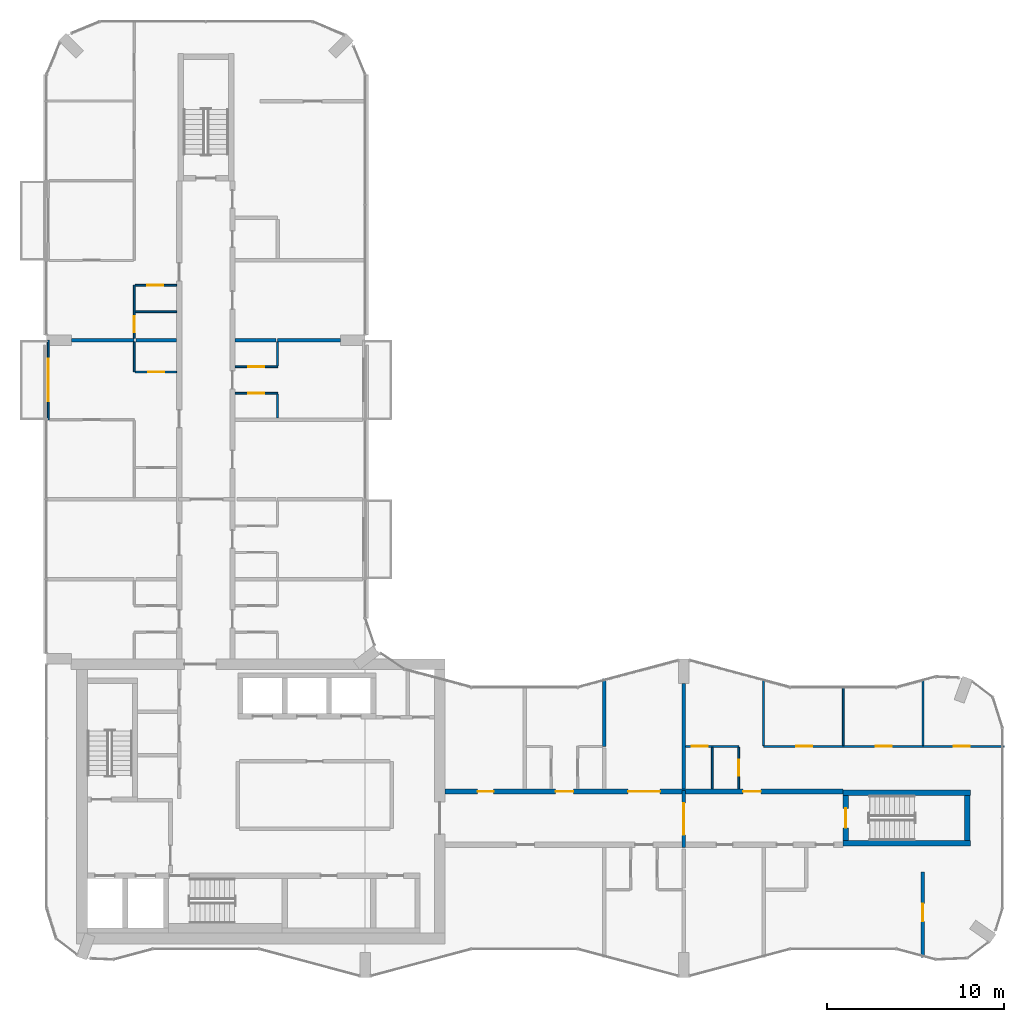
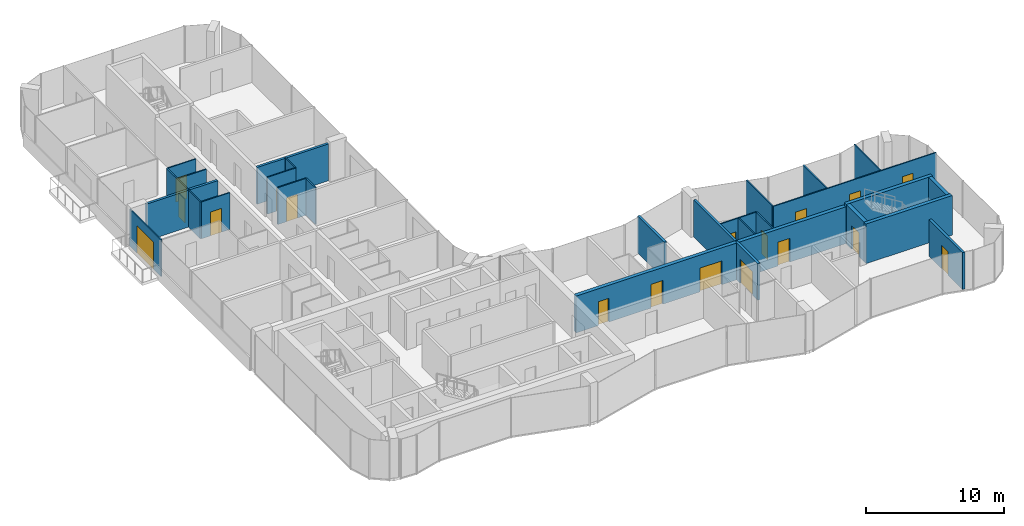
# One storey, part 12 of 15: 30 walls, 18 doors, 18 openings.
"""IFC4 building model written with IfcOpenShell, lengths in metres."""

from ifc_helpers import new_model, si_unit, direction, frame, frame_2d, origin, place, context, subcontext, project, spatial, rectangle, extrude, material, layer, layer_set, type_object, element, fill, save


model = new_model("IFC4")

# Units and contexts
model_context = context("Model", 3, precision=1e-05, world=origin(), true_north=direction((0.0, 1.0)))
body_context = subcontext(model_context, "Body", "Model", "MODEL_VIEW")
ifc_project = project(units=[si_unit("LENGTHUNIT", "METRE"), si_unit("AREAUNIT", "SQUARE_METRE"), si_unit("VOLUMEUNIT", "CUBIC_METRE"), si_unit("PLANEANGLEUNIT", "RADIAN"), si_unit("MASSUNIT", "GRAM", prefix="KILO")], contexts=[model_context])

# Site, building, storey
site_placement = place(None, origin())
site = spatial("IfcSite", under=ifc_project, at=site_placement, CompositionType="ELEMENT")
building_placement = place(site_placement, origin())
building = spatial("IfcBuilding", under=site, at=building_placement, Name="Plateau Cross Towers", CompositionType="ELEMENT")
storey_placement = place(building_placement, frame((0.0, 0.0, 170.89990234375)))
storey = spatial("IfcBuildingStorey", under=building, at=storey_placement, Name="L44", CompositionType="ELEMENT", Elevation=170.89990234375)

# Wall, opening, door
ifc_material_1 = material(Name="Aluminium framed glazing", Category="aluminium")
ifc_layer_1 = layer(ifc_material_1, 0.10009765625)
ifc_layer_set_1 = layer_set([ifc_layer_1], Name="Aluminium framed glazing")
wall_type_1 = type_object("IfcWallType", Name="Balcony screen wall 100", PredefinedType="STANDARD", material=ifc_layer_set_1)
wall_1_placement = place(storey_placement, frame((0.10009765625, 31.5, 0.0), z_axis=(0.0, 0.0, 1.0), x_axis=(0.0, 1.0, 0.0)))
wall_1 = element("IfcWall", 1, at=wall_1_placement, inside=storey, type_object=wall_type_1, Name="Balcony screen wall A-BAL-L44-01", PredefinedType="STANDARD", context=body_context, shape_type="SweptSolid", body=[
    extrude(rectangle(XDim=4.5, YDim=0.10009765625, at=frame_2d((2.25, 0.0))), origin(), (0.0, 0.0, 1.0), 3.25),
])
opening_1_placement = place(wall_1_placement, frame((1.050048828125, 0.0, 0.0)))
opening_1 = element("IfcOpeningElement", 2, at=opening_1_placement, cuts=wall_1, Name="Opening D-B24", PredefinedType="OPENING", context=body_context, shape_type="SweptSolid", body=[
    extrude(rectangle(XDim=2.39990234375, YDim=2.39990234375, at=frame_2d((1.199951171875, 1.199951171875))), frame((0.0, 0.06005859375, 0.0), z_axis=(0.0, -1.0, 0.0), x_axis=(1.0, 0.0, 0.0)), (0.0, 0.0, 1.0), 0.1201171875),
])
ifc_material_2 = material(Name="Aluminium frame, double glazing", Category="aluminium")
door_type_1 = type_object("IfcDoorType", Name="Balcony sliding door 2400", OperationType="NOTDEFINED", PredefinedType="DOOR", material=ifc_material_2)
door_1_placement = place(opening_1_placement, origin())
door_1 = element("IfcDoor", 3, at=door_1_placement, inside=storey, type_object=door_type_1, Name="Balcony door A-BAL-L44-01", OperationType="SINGLE_SWING_LEFT", OverallHeight=2.39990234375, OverallWidth=2.39990234375, PredefinedType="DOOR", context=body_context, shape_type="SweptSolid", body=[
    extrude(rectangle(XDim=2.39990234375, YDim=2.39990234375, at=frame_2d((1.199951171875, 1.199951171875))), frame((0.0, 0.02490234375, 0.0), z_axis=(0.0, -1.0, 0.0), x_axis=(1.0, 0.0, 0.0)), (0.0, 0.0, 1.0), 0.050048828125),
])
fill(opening_1, door_1)

# Wall, openings, doors
ifc_material_3 = material(Name="Concrete C60/75", Category="concrete")
ifc_layer_2 = layer(ifc_material_3, 0.300048828125)
ifc_layer_set_2 = layer_set([ifc_layer_2], Name="Concrete C60/75")
wall_type_2 = type_object("IfcWallType", Name="Corridor wall 300", PredefinedType="SHEAR", material=ifc_layer_set_2)
wall_2_placement = place(storey_placement, frame((22.5, 10.5, 0.0), z_axis=(0.0, 0.0, 1.0), x_axis=(1.0, 0.0, 0.0)))
wall_2 = element("IfcWall", 4, at=wall_2_placement, inside=storey, type_object=wall_type_2, Name="A-cw-S2@L44", PredefinedType="SHEAR", context=body_context, shape_type="SweptSolid", body=[
    extrude(rectangle(XDim=22.5, YDim=0.300048828125, at=frame_2d((11.25, 0.0))), origin(), (0.0, 0.0, 1.0), 3.25),
])
opening_2_placement = place(wall_2_placement, frame((1.85009765625, 0.0, 0.0)))
opening_2 = element("IfcOpeningElement", 5, at=opening_2_placement, cuts=wall_2, Name="Opening 44-06", PredefinedType="OPENING", context=body_context, shape_type="SweptSolid", body=[
    extrude(rectangle(XDim=0.89990234375, YDim=2.10009765625, at=frame_2d((0.449951171875, 1.050048828125))), frame((0.0, 0.159912109375, 0.0), z_axis=(0.0, -1.0, 0.0), x_axis=(1.0, 0.0, 0.0)), (0.0, 0.0, 1.0), 0.320068359375),
])
opening_3_placement = place(wall_2_placement, frame((6.25, 0.0, 0.0)))
opening_3 = element("IfcOpeningElement", 6, at=opening_3_placement, cuts=wall_2, Name="Opening 44-07", PredefinedType="OPENING", context=body_context, shape_type="SweptSolid", body=[
    extrude(rectangle(XDim=1.0, YDim=2.10009765625, at=frame_2d((0.5, 1.050048828125))), frame((0.0, 0.159912109375, 0.0), z_axis=(0.0, -1.0, 0.0), x_axis=(1.0, 0.0, 0.0)), (0.0, 0.0, 1.0), 0.320068359375),
])
opening_4_placement = place(wall_2_placement, frame((10.35009765625, 0.0, 0.0)))
opening_4 = element("IfcOpeningElement", 7, at=opening_4_placement, cuts=wall_2, Name="Opening 44-08", PredefinedType="OPENING", context=body_context, shape_type="SweptSolid", body=[
    extrude(rectangle(XDim=1.800048828125, YDim=2.10009765625, at=frame_2d((0.89990234375, 1.050048828125))), frame((0.0, 0.159912109375, 0.0), z_axis=(0.0, -1.0, 0.0), x_axis=(1.0, 0.0, 0.0)), (0.0, 0.0, 1.0), 0.320068359375),
])
opening_5_placement = place(wall_2_placement, frame((16.85009765625, 0.0, 0.0)))
opening_5 = element("IfcOpeningElement", 8, at=opening_5_placement, cuts=wall_2, Name="Opening 44-09", PredefinedType="OPENING", context=body_context, shape_type="SweptSolid", body=[
    extrude(rectangle(XDim=1.0, YDim=2.10009765625, at=frame_2d((0.5, 1.050048828125))), frame((0.0, 0.159912109375, 0.0), z_axis=(0.0, -1.0, 0.0), x_axis=(1.0, 0.0, 0.0)), (0.0, 0.0, 1.0), 0.320068359375),
])
ifc_material_4 = material(Name="Timber, fire-resisting leaf", Category="wood")
door_type_2 = type_object("IfcDoorType", Name="Flat entrance door 1000", OperationType="NOTDEFINED", PredefinedType="DOOR", material=ifc_material_4)
door_2_placement = place(opening_3_placement, origin())
door_2 = element("IfcDoor", 9, at=door_2_placement, inside=storey, type_object=door_type_2, Name="Door 44-07", OperationType="SINGLE_SWING_LEFT", OverallHeight=2.10009765625, OverallWidth=1.0, PredefinedType="DOOR", context=body_context, shape_type="SweptSolid", body=[
    extrude(rectangle(XDim=1.0, YDim=2.10009765625, at=frame_2d((0.5, 1.050048828125))), frame((0.0, 0.02490234375, 0.0), z_axis=(0.0, -1.0, 0.0), x_axis=(1.0, 0.0, 0.0)), (0.0, 0.0, 1.0), 0.050048828125),
])
fill(opening_3, door_2)
door_3_placement = place(opening_5_placement, origin())
door_3 = element("IfcDoor", 10, at=door_3_placement, inside=storey, type_object=door_type_2, Name="Door 44-09", OperationType="SINGLE_SWING_RIGHT", OverallHeight=2.10009765625, OverallWidth=1.0, PredefinedType="DOOR", context=body_context, shape_type="SweptSolid", body=[
    extrude(rectangle(XDim=1.0, YDim=2.10009765625, at=frame_2d((0.5, 1.050048828125))), frame((0.0, 0.02490234375, 0.0), z_axis=(0.0, -1.0, 0.0), x_axis=(1.0, 0.0, 0.0)), (0.0, 0.0, 1.0), 0.050048828125),
])
fill(opening_5, door_3)
ifc_material_5 = material(Name="Timber, fire-resisting leaves", Category="wood")
door_type_3 = type_object("IfcDoorType", Name="Flat floor fire door pair 1800", OperationType="NOTDEFINED", PredefinedType="DOOR", material=ifc_material_5)
door_4_placement = place(opening_4_placement, origin())
door_4 = element("IfcDoor", 11, at=door_4_placement, inside=storey, type_object=door_type_3, Name="Door 44-08", OperationType="SINGLE_SWING_LEFT", OverallHeight=2.10009765625, OverallWidth=1.800048828125, PredefinedType="DOOR", context=body_context, shape_type="SweptSolid", body=[
    extrude(rectangle(XDim=1.800048828125, YDim=2.10009765625, at=frame_2d((0.89990234375, 1.050048828125))), frame((0.0, 0.02490234375, 0.0), z_axis=(0.0, -1.0, 0.0), x_axis=(1.0, 0.0, 0.0)), (0.0, 0.0, 1.0), 0.050048828125),
])
fill(opening_4, door_4)
door_type_4 = type_object("IfcDoorType", Name="Flat floor service door 900", OperationType="NOTDEFINED", PredefinedType="DOOR", material=ifc_material_4)
door_5_placement = place(opening_2_placement, origin())
door_5 = element("IfcDoor", 12, at=door_5_placement, inside=storey, type_object=door_type_4, Name="Door 44-06", OperationType="SINGLE_SWING_LEFT", OverallHeight=2.10009765625, OverallWidth=0.89990234375, PredefinedType="DOOR", context=body_context, shape_type="SweptSolid", body=[
    extrude(rectangle(XDim=0.89990234375, YDim=2.10009765625, at=frame_2d((0.449951171875, 1.050048828125))), frame((0.0, 0.02490234375, 0.0), z_axis=(0.0, -1.0, 0.0), x_axis=(1.0, 0.0, 0.0)), (0.0, 0.0, 1.0), 0.050048828125),
])
fill(opening_2, door_5)

# Wall, opening, door
ifc_material_6 = material(Name="Gypsum board on steel studs", Category="steel")
ifc_layer_3 = layer(ifc_material_6, 0.10009765625)
ifc_layer_set_3 = layer_set([ifc_layer_3], Name="Gypsum board on steel studs")
wall_type_3 = type_object("IfcWallType", Name="Flat partition 100", PredefinedType="PARTITIONING", material=ifc_layer_set_3)
wall_3_placement = place(storey_placement, frame((39.10009765625, 13.050048828125, 0.0), z_axis=(0.0, 0.0, 1.0), x_axis=(-1.0, 0.0, 0.0)))
wall_3 = element("IfcWall", 13, at=wall_3_placement, inside=storey, type_object=wall_type_3, Name="Partition wall", PredefinedType="PARTITIONING", context=body_context, shape_type="SweptSolid", body=[
    extrude(rectangle(XDim=3.0, YDim=0.10009765625, at=frame_2d((1.5, 0.0))), origin(), (0.0, 0.0, 1.0), 3.25),
])
opening_6_placement = place(wall_3_placement, frame((1.75, 0.0, 0.0)))
opening_6 = element("IfcOpeningElement", 14, at=opening_6_placement, cuts=wall_3, Name="Opening 44-29", PredefinedType="OPENING", context=body_context, shape_type="SweptSolid", body=[
    extrude(rectangle(XDim=0.89990234375, YDim=2.10009765625, at=frame_2d((0.449951171875, 1.050048828125))), frame((0.0, 0.06005859375, 0.0), z_axis=(0.0, -1.0, 0.0), x_axis=(1.0, 0.0, 0.0)), (0.0, 0.0, 1.0), 0.1201171875),
])
ifc_material_7 = material(Name="Timber leaf", Category="wood")
door_type_5 = type_object("IfcDoorType", Name="Flat room door 900", OperationType="NOTDEFINED", PredefinedType="DOOR", material=ifc_material_7)
door_6_placement = place(opening_6_placement, origin())
door_6 = element("IfcDoor", 15, at=door_6_placement, inside=storey, type_object=door_type_5, Name="Door 44-29", OperationType="SINGLE_SWING_RIGHT", OverallHeight=2.10009765625, OverallWidth=0.89990234375, PredefinedType="DOOR", context=body_context, shape_type="SweptSolid", body=[
    extrude(rectangle(XDim=0.89990234375, YDim=2.10009765625, at=frame_2d((0.449951171875, 1.050048828125))), frame((0.0, 0.02490234375, 0.0), z_axis=(0.0, -1.0, 0.0), x_axis=(1.0, 0.0, 0.0)), (0.0, 0.0, 1.0), 0.050048828125),
])
fill(opening_6, door_6)

# Wall, openings, doors
wall_4_placement = place(storey_placement, frame((40.5, 13.050048828125, 0.0), z_axis=(0.0, 0.0, 1.0), x_axis=(1.0, 0.0, 0.0)))
wall_4 = element("IfcWall", 16, at=wall_4_placement, inside=storey, type_object=wall_type_3, Name="Partition wall", PredefinedType="PARTITIONING", context=body_context, shape_type="SweptSolid", body=[
    extrude(rectangle(XDim=13.580078125, YDim=0.10009765625, at=frame_2d((6.7900390625, 0.0))), origin(), (0.0, 0.0, 1.0), 3.25),
])
opening_7_placement = place(wall_4_placement, frame((1.85009765625, 0.0, 0.0)))
opening_7 = element("IfcOpeningElement", 17, at=opening_7_placement, cuts=wall_4, Name="Opening 44-31", PredefinedType="OPENING", context=body_context, shape_type="SweptSolid", body=[
    extrude(rectangle(XDim=0.89990234375, YDim=2.10009765625, at=frame_2d((0.449951171875, 1.050048828125))), frame((0.0, 0.06005859375, 0.0), z_axis=(0.0, -1.0, 0.0), x_axis=(1.0, 0.0, 0.0)), (0.0, 0.0, 1.0), 0.1201171875),
])
opening_8_placement = place(wall_4_placement, frame((6.35009765625, 0.0, 0.0)))
opening_8 = element("IfcOpeningElement", 18, at=opening_8_placement, cuts=wall_4, Name="Opening 44-32", PredefinedType="OPENING", context=body_context, shape_type="SweptSolid", body=[
    extrude(rectangle(XDim=0.89990234375, YDim=2.10009765625, at=frame_2d((0.449951171875, 1.050048828125))), frame((0.0, 0.06005859375, 0.0), z_axis=(0.0, -1.0, 0.0), x_axis=(1.0, 0.0, 0.0)), (0.0, 0.0, 1.0), 0.1201171875),
])
opening_9_placement = place(wall_4_placement, frame((10.75, 0.0, 0.0)))
opening_9 = element("IfcOpeningElement", 19, at=opening_9_placement, cuts=wall_4, Name="Opening 44-33", PredefinedType="OPENING", context=body_context, shape_type="SweptSolid", body=[
    extrude(rectangle(XDim=0.89990234375, YDim=2.10009765625, at=frame_2d((0.449951171875, 1.050048828125))), frame((0.0, 0.06005859375, 0.0), z_axis=(0.0, -1.0, 0.0), x_axis=(1.0, 0.0, 0.0)), (0.0, 0.0, 1.0), 0.1201171875),
])
door_7_placement = place(opening_7_placement, origin())
door_7 = element("IfcDoor", 20, at=door_7_placement, inside=storey, type_object=door_type_5, Name="Door 44-31", OperationType="SINGLE_SWING_LEFT", OverallHeight=2.10009765625, OverallWidth=0.89990234375, PredefinedType="DOOR", context=body_context, shape_type="SweptSolid", body=[
    extrude(rectangle(XDim=0.89990234375, YDim=2.10009765625, at=frame_2d((0.449951171875, 1.050048828125))), frame((0.0, 0.02490234375, 0.0), z_axis=(0.0, -1.0, 0.0), x_axis=(1.0, 0.0, 0.0)), (0.0, 0.0, 1.0), 0.050048828125),
])
fill(opening_7, door_7)
door_8_placement = place(opening_8_placement, origin())
door_8 = element("IfcDoor", 21, at=door_8_placement, inside=storey, type_object=door_type_5, Name="Door 44-32", OperationType="SINGLE_SWING_RIGHT", OverallHeight=2.10009765625, OverallWidth=0.89990234375, PredefinedType="DOOR", context=body_context, shape_type="SweptSolid", body=[
    extrude(rectangle(XDim=0.89990234375, YDim=2.10009765625, at=frame_2d((0.449951171875, 1.050048828125))), frame((0.0, 0.02490234375, 0.0), z_axis=(0.0, -1.0, 0.0), x_axis=(1.0, 0.0, 0.0)), (0.0, 0.0, 1.0), 0.050048828125),
])
fill(opening_8, door_8)
door_9_placement = place(opening_9_placement, origin())
door_9 = element("IfcDoor", 22, at=door_9_placement, inside=storey, type_object=door_type_5, Name="Door 44-33", OperationType="SINGLE_SWING_RIGHT", OverallHeight=2.10009765625, OverallWidth=0.89990234375, PredefinedType="DOOR", context=body_context, shape_type="SweptSolid", body=[
    extrude(rectangle(XDim=0.89990234375, YDim=2.10009765625, at=frame_2d((0.449951171875, 1.050048828125))), frame((0.0, 0.02490234375, 0.0), z_axis=(0.0, -1.0, 0.0), x_axis=(1.0, 0.0, 0.0)), (0.0, 0.0, 1.0), 0.050048828125),
])
fill(opening_9, door_9)

# Wall, opening, door
wall_5_placement = place(storey_placement, frame((13.050048828125, 33.0, 0.0), z_axis=(0.0, 0.0, 1.0), x_axis=(-1.0, 0.0, 0.0)))
wall_5 = element("IfcWall", 23, at=wall_5_placement, inside=storey, type_object=wall_type_3, Name="Partition wall", PredefinedType="PARTITIONING", context=body_context, shape_type="SweptSolid", body=[
    extrude(rectangle(XDim=2.400146484375, YDim=0.10009765625, at=frame_2d((1.2001953125, 0.0))), origin(), (0.0, 0.0, 1.0), 3.25),
])
opening_10_placement = place(wall_5_placement, frame((0.75, 0.0, 0.0)))
opening_10 = element("IfcOpeningElement", 24, at=opening_10_placement, cuts=wall_5, Name="Opening 44-48", PredefinedType="OPENING", context=body_context, shape_type="SweptSolid", body=[
    extrude(rectangle(XDim=0.89990234375, YDim=2.10009765625, at=frame_2d((0.449951171875, 1.050048828125))), frame((0.0, 0.06005859375, 0.0), z_axis=(0.0, -1.0, 0.0), x_axis=(1.0, 0.0, 0.0)), (0.0, 0.0, 1.0), 0.1201171875),
])
door_10_placement = place(opening_10_placement, origin())
door_10 = element("IfcDoor", 25, at=door_10_placement, inside=storey, type_object=door_type_5, Name="Door 44-48", OperationType="SINGLE_SWING_LEFT", OverallHeight=2.10009765625, OverallWidth=0.89990234375, PredefinedType="DOOR", context=body_context, shape_type="SweptSolid", body=[
    extrude(rectangle(XDim=0.89990234375, YDim=2.10009765625, at=frame_2d((0.449951171875, 1.050048828125))), frame((0.0, 0.02490234375, 0.0), z_axis=(0.0, -1.0, 0.0), x_axis=(1.0, 0.0, 0.0)), (0.0, 0.0, 1.0), 0.050048828125),
])
fill(opening_10, door_10)

wall_6_placement = place(storey_placement, frame((5.0, 34.199951171875, 0.0), z_axis=(0.0, 0.0, 1.0), x_axis=(1.0, 0.0, 0.0)))
wall_6 = element("IfcWall", 26, at=wall_6_placement, inside=storey, type_object=wall_type_3, Name="Partition wall", PredefinedType="PARTITIONING", context=body_context, shape_type="SweptSolid", body=[
    extrude(rectangle(XDim=2.35009765625, YDim=0.10009765625, at=frame_2d((1.175048828125, 0.0))), origin(), (0.0, 0.0, 1.0), 3.25),
])
opening_11_placement = place(wall_6_placement, frame((0.75, 0.0, 0.0)))
opening_11 = element("IfcOpeningElement", 27, at=opening_11_placement, cuts=wall_6, Name="Opening 44-37", PredefinedType="OPENING", context=body_context, shape_type="SweptSolid", body=[
    extrude(rectangle(XDim=0.89990234375, YDim=2.10009765625, at=frame_2d((0.449951171875, 1.050048828125))), frame((0.0, 0.06005859375, 0.0), z_axis=(0.0, -1.0, 0.0), x_axis=(1.0, 0.0, 0.0)), (0.0, 0.0, 1.0), 0.1201171875),
])
door_11_placement = place(opening_11_placement, origin())
door_11 = element("IfcDoor", 28, at=door_11_placement, inside=storey, type_object=door_type_5, Name="Door 44-37", OperationType="SINGLE_SWING_RIGHT", OverallHeight=2.10009765625, OverallWidth=0.89990234375, PredefinedType="DOOR", context=body_context, shape_type="SweptSolid", body=[
    extrude(rectangle(XDim=0.89990234375, YDim=2.10009765625, at=frame_2d((0.449951171875, 1.050048828125))), frame((0.0, 0.02490234375, 0.0), z_axis=(0.0, -1.0, 0.0), x_axis=(1.0, 0.0, 0.0)), (0.0, 0.0, 1.0), 0.050048828125),
])
fill(opening_11, door_11)

wall_7_placement = place(storey_placement, frame((10.64990234375, 34.5, 0.0), z_axis=(0.0, 0.0, 1.0), x_axis=(1.0, 0.0, 0.0)))
wall_7 = element("IfcWall", 29, at=wall_7_placement, inside=storey, type_object=wall_type_3, Name="Partition wall", PredefinedType="PARTITIONING", context=body_context, shape_type="SweptSolid", body=[
    extrude(rectangle(XDim=2.400146484375, YDim=0.10009765625, at=frame_2d((1.2001953125, 0.0))), origin(), (0.0, 0.0, 1.0), 3.25),
])
opening_12_placement = place(wall_7_placement, frame((0.75, 0.0, 0.0)))
opening_12 = element("IfcOpeningElement", 30, at=opening_12_placement, cuts=wall_7, Name="Opening 44-49", PredefinedType="OPENING", context=body_context, shape_type="SweptSolid", body=[
    extrude(rectangle(XDim=0.89990234375, YDim=2.10009765625, at=frame_2d((0.449951171875, 1.050048828125))), frame((0.0, 0.06005859375, 0.0), z_axis=(0.0, -1.0, 0.0), x_axis=(1.0, 0.0, 0.0)), (0.0, 0.0, 1.0), 0.1201171875),
])
door_12_placement = place(opening_12_placement, origin())
door_12 = element("IfcDoor", 31, at=door_12_placement, inside=storey, type_object=door_type_5, Name="Door 44-49", OperationType="SINGLE_SWING_LEFT", OverallHeight=2.10009765625, OverallWidth=0.89990234375, PredefinedType="DOOR", context=body_context, shape_type="SweptSolid", body=[
    extrude(rectangle(XDim=0.89990234375, YDim=2.10009765625, at=frame_2d((0.449951171875, 1.050048828125))), frame((0.0, 0.02490234375, 0.0), z_axis=(0.0, -1.0, 0.0), x_axis=(1.0, 0.0, 0.0)), (0.0, 0.0, 1.0), 0.050048828125),
])
fill(opening_12, door_12)

# Wall
wall_8_placement = place(storey_placement, frame((7.35009765625, 37.60009765625, 0.0), z_axis=(0.0, 0.0, 1.0), x_axis=(-1.0, 0.0, 0.0)))
element("IfcWall", 32, at=wall_8_placement, inside=storey, type_object=wall_type_3, Name="Partition wall", PredefinedType="PARTITIONING", context=body_context, shape_type="SweptSolid", body=[
    extrude(rectangle(XDim=2.35009765625, YDim=0.10009765625, at=frame_2d((1.175048828125, 0.0))), origin(), (0.0, 0.0, 1.0), 3.25),
])

# Wall, opening, door
wall_9_placement = place(storey_placement, frame((7.35009765625, 39.10009765625, 0.0), z_axis=(0.0, 0.0, 1.0), x_axis=(-1.0, 0.0, 0.0)))
wall_9 = element("IfcWall", 33, at=wall_9_placement, inside=storey, type_object=wall_type_3, Name="Partition wall", PredefinedType="PARTITIONING", context=body_context, shape_type="SweptSolid", body=[
    extrude(rectangle(XDim=2.35009765625, YDim=0.10009765625, at=frame_2d((1.175048828125, 0.0))), origin(), (0.0, 0.0, 1.0), 3.25),
])
opening_13_placement = place(wall_9_placement, frame((0.75, 0.0, 0.0)))
opening_13 = element("IfcOpeningElement", 34, at=opening_13_placement, cuts=wall_9, Name="Opening 44-40", PredefinedType="OPENING", context=body_context, shape_type="SweptSolid", body=[
    extrude(rectangle(XDim=0.89990234375, YDim=2.10009765625, at=frame_2d((0.449951171875, 1.050048828125))), frame((0.0, 0.06005859375, 0.0), z_axis=(0.0, -1.0, 0.0), x_axis=(1.0, 0.0, 0.0)), (0.0, 0.0, 1.0), 0.1201171875),
])
door_13_placement = place(opening_13_placement, origin())
door_13 = element("IfcDoor", 35, at=door_13_placement, inside=storey, type_object=door_type_5, Name="Door 44-40", OperationType="SINGLE_SWING_RIGHT", OverallHeight=2.10009765625, OverallWidth=0.89990234375, PredefinedType="DOOR", context=body_context, shape_type="SweptSolid", body=[
    extrude(rectangle(XDim=0.89990234375, YDim=2.10009765625, at=frame_2d((0.449951171875, 1.050048828125))), frame((0.0, 0.02490234375, 0.0), z_axis=(0.0, -1.0, 0.0), x_axis=(1.0, 0.0, 0.0)), (0.0, 0.0, 1.0), 0.050048828125),
])
fill(opening_13, door_13)

# Wall
wall_10_placement = place(storey_placement, frame((4.949951171875, 35.89990234375, 0.0), z_axis=(0.0, 0.0, 1.0), x_axis=(0.0, -1.0, 0.0)))
element("IfcWall", 36, at=wall_10_placement, inside=storey, type_object=wall_type_3, Name="Partition wall", PredefinedType="PARTITIONING", context=body_context, shape_type="SweptSolid", body=[
    extrude(rectangle(XDim=1.699951171875, YDim=0.10009765625, at=frame_2d((0.85009765625, 0.0))), origin(), (0.0, 0.0, 1.0), 3.25),
])

# Wall, opening, door
wall_11_placement = place(storey_placement, frame((4.949951171875, 39.10009765625, 0.0), z_axis=(0.0, 0.0, 1.0), x_axis=(0.0, -1.0, 0.0)))
wall_11 = element("IfcWall", 37, at=wall_11_placement, inside=storey, type_object=wall_type_3, Name="Partition wall", PredefinedType="PARTITIONING", context=body_context, shape_type="SweptSolid", body=[
    extrude(rectangle(XDim=3.0, YDim=0.10009765625, at=frame_2d((1.5, 0.0))), origin(), (0.0, 0.0, 1.0), 3.25),
])
opening_14_placement = place(wall_11_placement, frame((1.75, 0.0, 0.0)))
opening_14 = element("IfcOpeningElement", 38, at=opening_14_placement, cuts=wall_11, Name="Opening 44-39", PredefinedType="OPENING", context=body_context, shape_type="SweptSolid", body=[
    extrude(rectangle(XDim=0.89990234375, YDim=2.10009765625, at=frame_2d((0.449951171875, 1.050048828125))), frame((0.0, 0.06005859375, 0.0), z_axis=(0.0, -1.0, 0.0), x_axis=(1.0, 0.0, 0.0)), (0.0, 0.0, 1.0), 0.1201171875),
])
door_14_placement = place(opening_14_placement, origin())
door_14 = element("IfcDoor", 39, at=door_14_placement, inside=storey, type_object=door_type_5, Name="Door 44-39", OperationType="SINGLE_SWING_RIGHT", OverallHeight=2.10009765625, OverallWidth=0.89990234375, PredefinedType="DOOR", context=body_context, shape_type="SweptSolid", body=[
    extrude(rectangle(XDim=0.89990234375, YDim=2.10009765625, at=frame_2d((0.449951171875, 1.050048828125))), frame((0.0, 0.02490234375, 0.0), z_axis=(0.0, -1.0, 0.0), x_axis=(1.0, 0.0, 0.0)), (0.0, 0.0, 1.0), 0.050048828125),
])
fill(opening_14, door_14)

# Walls
for number, where, z_axis, x_axis, name in (
    (40, (13.050048828125, 31.60009765625, 0.0), (0.0, 0.0, 1.0), (0.0, 1.0, 0.0), "Partition wall"),
    (41, (13.050048828125, 34.550048828125, 0.0), (0.0, 0.0, 1.0), (0.0, 1.0, 0.0), "Partition wall"),
):
    element("IfcWall", number, at=place(storey_placement, frame(where, z_axis=z_axis, x_axis=x_axis)), inside=storey, type_object=wall_type_3, Name=name, PredefinedType="PARTITIONING", context=body_context, shape_type="SweptSolid", body=[
        extrude(rectangle(XDim=1.349853515625, YDim=0.10009765625, at=frame_2d((0.6748046875, 0.0))), origin(), (0.0, 0.0, 1.0), 3.25),
    ])
wall_12_placement = place(storey_placement, frame((37.60009765625, 10.64990234375, 0.0), z_axis=(0.0, 0.0, 1.0), x_axis=(0.0, 1.0, 0.0)))
element("IfcWall", 42, at=wall_12_placement, inside=storey, type_object=wall_type_3, Name="Partition wall", PredefinedType="PARTITIONING", context=body_context, shape_type="SweptSolid", body=[
    extrude(rectangle(XDim=2.35009765625, YDim=0.10009765625, at=frame_2d((1.175048828125, 0.0))), origin(), (0.0, 0.0, 1.0), 3.25),
])

# Wall, opening, door
wall_13_placement = place(storey_placement, frame((39.10009765625, 10.64990234375, 0.0), z_axis=(0.0, 0.0, 1.0), x_axis=(0.0, 1.0, 0.0)))
wall_13 = element("IfcWall", 43, at=wall_13_placement, inside=storey, type_object=wall_type_3, Name="Partition wall", PredefinedType="PARTITIONING", context=body_context, shape_type="SweptSolid", body=[
    extrude(rectangle(XDim=2.35009765625, YDim=0.10009765625, at=frame_2d((1.175048828125, 0.0))), origin(), (0.0, 0.0, 1.0), 3.25),
])
opening_15_placement = place(wall_13_placement, frame((0.75, 0.0, 0.0)))
opening_15 = element("IfcOpeningElement", 44, at=opening_15_placement, cuts=wall_13, Name="Opening 44-30", PredefinedType="OPENING", context=body_context, shape_type="SweptSolid", body=[
    extrude(rectangle(XDim=0.89990234375, YDim=2.10009765625, at=frame_2d((0.449951171875, 1.050048828125))), frame((0.0, 0.06005859375, 0.0), z_axis=(0.0, -1.0, 0.0), x_axis=(1.0, 0.0, 0.0)), (0.0, 0.0, 1.0), 0.1201171875),
])
door_15_placement = place(opening_15_placement, origin())
door_15 = element("IfcDoor", 45, at=door_15_placement, inside=storey, type_object=door_type_5, Name="Door 44-30", OperationType="SINGLE_SWING_RIGHT", OverallHeight=2.10009765625, OverallWidth=0.89990234375, PredefinedType="DOOR", context=body_context, shape_type="SweptSolid", body=[
    extrude(rectangle(XDim=0.89990234375, YDim=2.10009765625, at=frame_2d((0.449951171875, 1.050048828125))), frame((0.0, 0.02490234375, 0.0), z_axis=(0.0, -1.0, 0.0), x_axis=(1.0, 0.0, 0.0)), (0.0, 0.0, 1.0), 0.050048828125),
])
fill(opening_15, door_15)

# Walls
wall_14_placement = place(storey_placement, frame((40.5, 16.877685546875, 0.0), z_axis=(0.0, 0.0, 1.0), x_axis=(0.0, -1.0, 0.0)))
element("IfcWall", 46, at=wall_14_placement, inside=storey, type_object=wall_type_3, Name="Partition wall", PredefinedType="PARTITIONING", context=body_context, shape_type="SweptSolid", body=[
    extrude(rectangle(XDim=3.777587890625, YDim=0.10009765625, at=frame_2d((1.888671875, 0.0))), origin(), (0.0, 0.0, 1.0), 3.25),
])
wall_15_placement = place(storey_placement, frame((45.0, 13.10009765625, 0.0), z_axis=(0.0, 0.0, 1.0), x_axis=(0.0, 1.0, 0.0)))
element("IfcWall", 47, at=wall_15_placement, inside=storey, type_object=wall_type_3, Name="Partition wall", PredefinedType="PARTITIONING", context=body_context, shape_type="SweptSolid", body=[
    extrude(rectangle(XDim=3.373046875, YDim=0.10009765625, at=frame_2d((1.6865234375, 0.0))), origin(), (0.0, 0.0, 1.0), 3.25),
])
wall_16_placement = place(storey_placement, frame((49.5, 13.10009765625, 0.0), z_axis=(0.0, 0.0, 1.0), x_axis=(0.0, 1.0, 0.0)))
element("IfcWall", 48, at=wall_16_placement, inside=storey, type_object=wall_type_3, Name="Partition wall", PredefinedType="PARTITIONING", context=body_context, shape_type="SweptSolid", body=[
    extrude(rectangle(XDim=3.777587890625, YDim=0.10009765625, at=frame_2d((1.888671875, 0.0))), origin(), (0.0, 0.0, 1.0), 3.25),
])
ifc_material_8 = material(Name="Gypsum board on steel studs, two layers each side", Category="steel")
ifc_layer_4 = layer(ifc_material_8, 0.199951171875)
ifc_layer_set_4 = layer_set([ifc_layer_4], Name="Gypsum board on steel studs, two layers each side")
wall_type_4 = type_object("IfcWallType", Name="Flat party wall 200", PredefinedType="PARTITIONING", material=ifc_layer_set_4)
for number, where, z_axis, x_axis, name in (
    (49, (7.35009765625, 36.0, 0.0), (0.0, 0.0, 1.0), (-1.0, 0.0, 0.0), "Party wall"),
    (50, (12.949951171875, 36.0, 0.0), (0.0, 0.0, 1.0), (-1.0, 0.0, 0.0), "Party wall"),
):
    element("IfcWall", number, at=place(storey_placement, frame(where, z_axis=z_axis, x_axis=x_axis)), inside=storey, type_object=wall_type_4, Name=name, PredefinedType="PARTITIONING", context=body_context, shape_type="SweptSolid", body=[
        extrude(rectangle(XDim=2.300048828125, YDim=0.199951171875, at=frame_2d((1.14990234375, 0.0))), origin(), (0.0, 0.0, 1.0), 3.25),
    ])
for number, where, z_axis, x_axis, name in (
    (51, (1.39990234375, 36.0, 0.0), (0.0, 0.0, 1.0), (1.0, 0.0, 0.0), "Party wall"),
    (52, (13.050048828125, 36.0, 0.0), (0.0, 0.0, 1.0), (1.0, 0.0, 0.0), "Party wall"),
):
    element("IfcWall", number, at=place(storey_placement, frame(where, z_axis=z_axis, x_axis=x_axis)), inside=storey, type_object=wall_type_4, Name=name, PredefinedType="PARTITIONING", context=body_context, shape_type="SweptSolid", body=[
        extrude(rectangle(XDim=3.550048828125, YDim=0.199951171875, at=frame_2d((1.77490234375, 0.0))), origin(), (0.0, 0.0, 1.0), 3.25),
    ])
wall_17_placement = place(storey_placement, frame((31.5, 16.877685546875, 0.0), z_axis=(0.0, 0.0, 1.0), x_axis=(0.0, -1.0, 0.0)))
element("IfcWall", 53, at=wall_17_placement, inside=storey, type_object=wall_type_4, Name="Party wall", PredefinedType="PARTITIONING", context=body_context, shape_type="SweptSolid", body=[
    extrude(rectangle(XDim=3.82763671875, YDim=0.199951171875, at=frame_2d((1.913818359375, 0.0))), origin(), (0.0, 0.0, 1.0), 3.25),
])
wall_18_placement = place(storey_placement, frame((36.0, 10.64990234375, 0.0), z_axis=(0.0, 0.0, 1.0), x_axis=(0.0, 1.0, 0.0)))
element("IfcWall", 54, at=wall_18_placement, inside=storey, type_object=wall_type_4, Name="Party wall", PredefinedType="PARTITIONING", context=body_context, shape_type="SweptSolid", body=[
    extrude(rectangle(XDim=5.9501953125, YDim=0.199951171875, at=frame_2d((2.97509765625, 0.0))), origin(), (0.0, 0.0, 1.0), 3.25),
])

# Wall, opening, door
wall_19_placement = place(storey_placement, frame((49.5, 1.122314453125, 0.0), z_axis=(0.0, 0.0, 1.0), x_axis=(0.0, 1.0, 0.0)))
wall_19 = element("IfcWall", 55, at=wall_19_placement, inside=storey, type_object=wall_type_4, Name="Party wall", PredefinedType="PARTITIONING", context=body_context, shape_type="SweptSolid", body=[
    extrude(rectangle(XDim=4.82763671875, YDim=0.199951171875, at=frame_2d((2.413818359375, 0.0))), origin(), (0.0, 0.0, 1.0), 3.25),
])
opening_16_placement = place(wall_19_placement, frame((2.050048828125, 0.0, 0.0)))
opening_16 = element("IfcOpeningElement", 56, at=opening_16_placement, cuts=wall_19, Name="Opening 44-23", PredefinedType="OPENING", context=body_context, shape_type="SweptSolid", body=[
    extrude(rectangle(XDim=1.0, YDim=2.10009765625, at=frame_2d((0.5, 1.050048828125))), frame((0.0, 0.10986328125, 0.0), z_axis=(0.0, -1.0, 0.0), x_axis=(1.0, 0.0, 0.0)), (0.0, 0.0, 1.0), 0.219970703125),
])
door_16_placement = place(opening_16_placement, origin())
door_16 = element("IfcDoor", 57, at=door_16_placement, inside=storey, type_object=door_type_2, Name="Door 44-23", OperationType="SINGLE_SWING_RIGHT", OverallHeight=2.10009765625, OverallWidth=1.0, PredefinedType="DOOR", context=body_context, shape_type="SweptSolid", body=[
    extrude(rectangle(XDim=1.0, YDim=2.10009765625, at=frame_2d((0.5, 1.050048828125))), frame((0.0, 0.02490234375, 0.0), z_axis=(0.0, -1.0, 0.0), x_axis=(1.0, 0.0, 0.0)), (0.0, 0.0, 1.0), 0.050048828125),
])
fill(opening_16, door_16)

wall_20_placement = place(storey_placement, frame((36.0, 7.35009765625, 0.0), z_axis=(0.0, 0.0, 1.0), x_axis=(0.0, 1.0, 0.0)))
wall_20 = element("IfcWall", 58, at=wall_20_placement, inside=storey, type_object=wall_type_4, Name="Party wall", PredefinedType="PARTITIONING", context=body_context, shape_type="SweptSolid", body=[
    extrude(rectangle(XDim=3.199951171875, YDim=0.199951171875, at=frame_2d((1.60009765625, 0.0))), origin(), (0.0, 0.0, 1.0), 3.25),
])
opening_17_placement = place(wall_20_placement, frame((0.699951171875, 0.0, 0.0)))
opening_17 = element("IfcOpeningElement", 59, at=opening_17_placement, cuts=wall_20, Name="Opening 44-21", PredefinedType="OPENING", context=body_context, shape_type="SweptSolid", body=[
    extrude(rectangle(XDim=1.800048828125, YDim=2.10009765625, at=frame_2d((0.89990234375, 1.050048828125))), frame((0.0, 0.10986328125, 0.0), z_axis=(0.0, -1.0, 0.0), x_axis=(1.0, 0.0, 0.0)), (0.0, 0.0, 1.0), 0.219970703125),
])
door_17_placement = place(opening_17_placement, origin())
door_17 = element("IfcDoor", 60, at=door_17_placement, inside=storey, type_object=door_type_3, Name="Door 44-21", OperationType="SINGLE_SWING_LEFT", OverallHeight=2.10009765625, OverallWidth=1.800048828125, PredefinedType="DOOR", context=body_context, shape_type="SweptSolid", body=[
    extrude(rectangle(XDim=1.800048828125, YDim=2.10009765625, at=frame_2d((0.89990234375, 1.050048828125))), frame((0.0, 0.02490234375, 0.0), z_axis=(0.0, -1.0, 0.0), x_axis=(1.0, 0.0, 0.0)), (0.0, 0.0, 1.0), 0.050048828125),
])
fill(opening_17, door_17)

ifc_layer_5 = layer(ifc_material_3, 0.300048828125)
ifc_layer_set_5 = layer_set([ifc_layer_5], Name="Concrete C60/75")
wall_type_5 = type_object("IfcWallType", Name="Stair tower wall 300", PredefinedType="SHEAR", material=ifc_layer_set_5)
wall_21_placement = place(storey_placement, frame((45.14990234375, 7.72509765625, 0.0), z_axis=(0.0, 0.0, 1.0), x_axis=(0.0, 1.0, 0.0)))
wall_21 = element("IfcWall", 61, at=wall_21_placement, inside=storey, type_object=wall_type_5, Name="A-end-E-W@L44", PredefinedType="SHEAR", context=body_context, shape_type="SweptSolid", body=[
    extrude(rectangle(XDim=2.5498046875, YDim=0.300048828125, at=frame_2d((1.27490234375, 0.0))), origin(), (0.0, 0.0, 1.0), 3.5),
])
opening_18_placement = place(wall_21_placement, frame((0.72509765625, 0.0, 0.0)))
opening_18 = element("IfcOpeningElement", 62, at=opening_18_placement, cuts=wall_21, Name="Opening SD", PredefinedType="OPENING", context=body_context, shape_type="SweptSolid", body=[
    extrude(rectangle(XDim=1.10009765625, YDim=2.10009765625, at=frame_2d((0.550048828125, 1.050048828125))), frame((0.0, 0.159912109375, 0.0), z_axis=(0.0, -1.0, 0.0), x_axis=(1.0, 0.0, 0.0)), (0.0, 0.0, 1.0), 0.320068359375),
])
ifc_material_9 = material(Name="Steel, fire-resisting leaf", Category="steel")
door_type_6 = type_object("IfcDoorType", Name="Stair door 1100", OperationType="NOTDEFINED", PredefinedType="DOOR", material=ifc_material_9)
door_18_placement = place(opening_18_placement, origin())
door_18 = element("IfcDoor", 63, at=door_18_placement, inside=storey, type_object=door_type_6, Name="Stair door SD", OperationType="SINGLE_SWING_LEFT", OverallHeight=2.10009765625, OverallWidth=1.10009765625, PredefinedType="DOOR", context=body_context, shape_type="SweptSolid", body=[
    extrude(rectangle(XDim=1.10009765625, YDim=2.10009765625, at=frame_2d((0.550048828125, 1.050048828125))), frame((0.0, 0.02490234375, 0.0), z_axis=(0.0, -1.0, 0.0), x_axis=(1.0, 0.0, 0.0)), (0.0, 0.0, 1.0), 0.050048828125),
])
fill(opening_18, door_18)

# Walls
wall_22_placement = place(storey_placement, frame((52.0, 7.72509765625, 0.0), z_axis=(0.0, 0.0, 1.0), x_axis=(0.0, 1.0, 0.0)))
element("IfcWall", 64, at=wall_22_placement, inside=storey, type_object=wall_type_5, Name="A-end-E-E@L44", PredefinedType="SHEAR", context=body_context, shape_type="SweptSolid", body=[
    extrude(rectangle(XDim=2.5498046875, YDim=0.300048828125, at=frame_2d((1.27490234375, 0.0))), origin(), (0.0, 0.0, 1.0), 3.5),
])
for number, where, z_axis, x_axis, name in (
    (65, (45.0, 7.574951171875, 0.0), (0.0, 0.0, 1.0), (1.0, 0.0, 0.0), "A-end-E-S@L44"),
    (66, (45.0, 10.425048828125, 0.0), (0.0, 0.0, 1.0), (1.0, 0.0, 0.0), "A-end-E-N@L44"),
):
    element("IfcWall", number, at=place(storey_placement, frame(where, z_axis=z_axis, x_axis=x_axis)), inside=storey, type_object=wall_type_5, Name=name, PredefinedType="SHEAR", context=body_context, shape_type="SweptSolid", body=[
        extrude(rectangle(XDim=7.199951171875, YDim=0.300048828125, at=frame_2d((3.60009765625, 0.0))), origin(), (0.0, 0.0, 1.0), 3.5),
    ])

save(model, "model.ifc")
